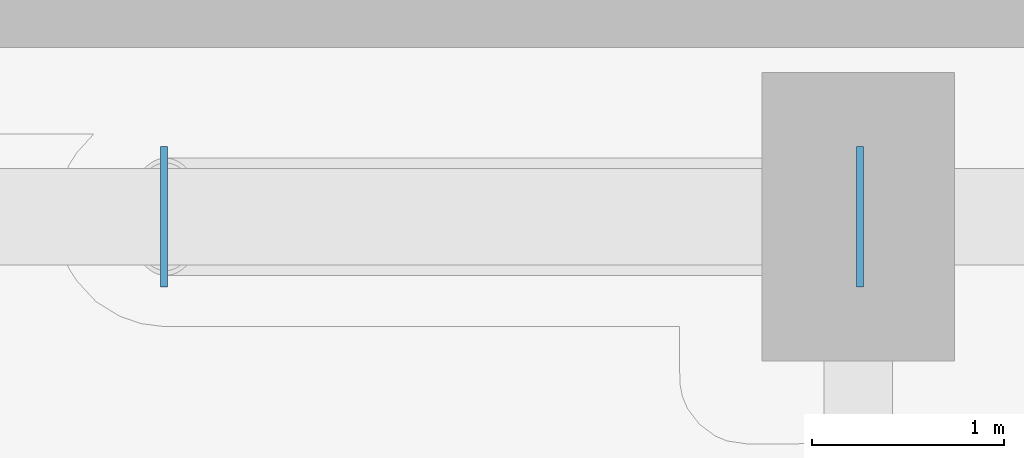
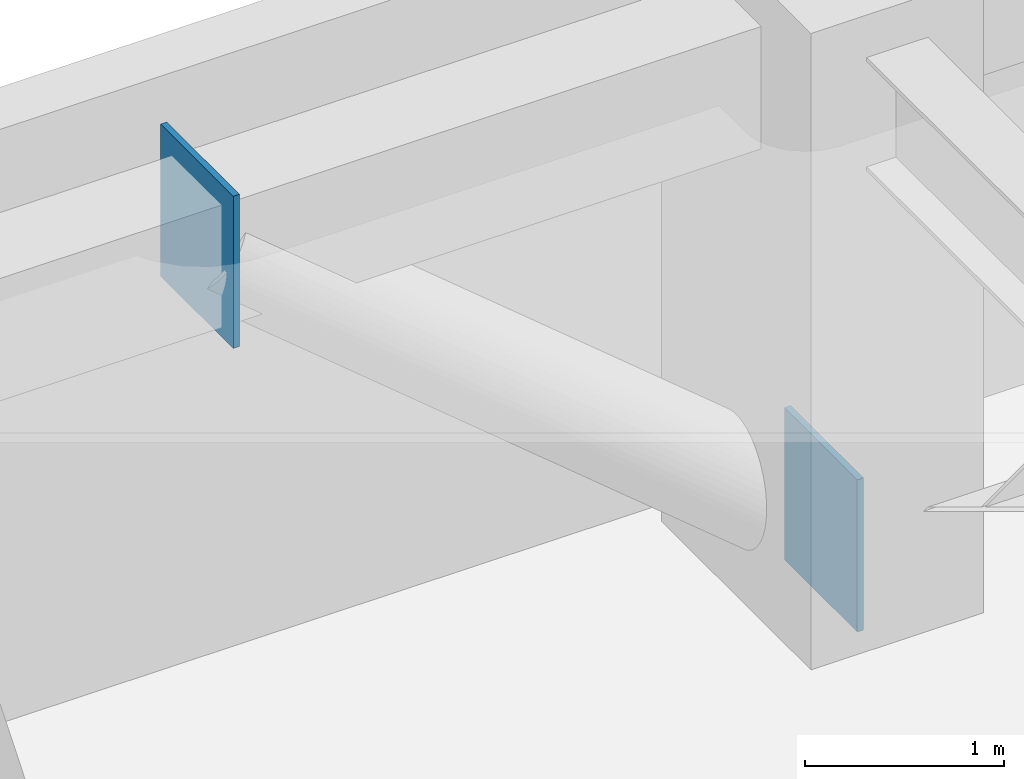
# One storey, part 21 of 29: 2 plates.
"""IFC4 building model written with IfcOpenShell, lengths in metres."""

from ifc_helpers import new_model, si_unit, direction, frame, origin, origin_2d, place, context, subcontext, project, spatial, rectangle, extrude, material, layer, layer_set, type_object, element, save


model = new_model("IFC4")

# Units and contexts
model_context = context("Model", 3, precision=1e-05, world=origin(), true_north=direction((0.0, 1.0)))
body_context = subcontext(model_context, "Body", "Model", "MODEL_VIEW")
ifc_project = project(units=[si_unit("LENGTHUNIT", "METRE"), si_unit("AREAUNIT", "SQUARE_METRE"), si_unit("VOLUMEUNIT", "CUBIC_METRE"), si_unit("PLANEANGLEUNIT", "RADIAN"), si_unit("MASSUNIT", "GRAM", prefix="KILO")], contexts=[model_context])

# Site, building, storey
site_placement = place(None, origin())
site = spatial("IfcSite", under=ifc_project, at=site_placement, CompositionType="ELEMENT")
building_placement = place(site_placement, origin())
building = spatial("IfcBuilding", under=site, at=building_placement, Name="Kiyonajd Concourse Tower", CompositionType="ELEMENT")
storey_placement = place(building_placement, frame((0.0, 0.0, 52.800048828125)))
storey = spatial("IfcBuildingStorey", under=building, at=storey_placement, Name="L14", CompositionType="ELEMENT", Elevation=52.800048828125)

# Plates
ifc_material = material(Name="Steel ASTM A572 Grade 50", Category="steel")
ifc_layer = layer(ifc_material, 0.028076171875)
ifc_layer_set = layer_set([ifc_layer], Name="Steel ASTM A572 Grade 50")
plate_type = type_object("IfcPlateType", Name="PL-CAP-450", PredefinedType="USERDEFINED", material=ifc_layer_set)
for number, where, z_axis, x_axis, name in (
    (1, (63.6083984375, 61.199951171875, -0.173583984375), (0.0, 0.0, 1.0), (1.0, 0.0, 0.0), "L14 Hollow Brace End Cap Plate PBN"),
    (2, (59.991455078125, 61.199951171875, 2.830322265625), (0.0, 0.0, 1.0), (-1.0, 0.0, 0.0), "L14 Hollow Brace Top Cap Plate PBN"),
):
    element("IfcPlate", number, at=place(storey_placement, frame(where, z_axis=z_axis, x_axis=x_axis)), inside=storey, type_object=plate_type, Name=name, ObjectType="CAP PLATE", PredefinedType="USERDEFINED", context=body_context, shape_type="SweptSolid", body=[
        extrude(rectangle(XDim=0.035888671875, YDim=0.72998046875, at=origin_2d()), origin(), (0.0, 0.0, 1.0), 0.93310546875),
    ])

save(model, "model.ifc")
